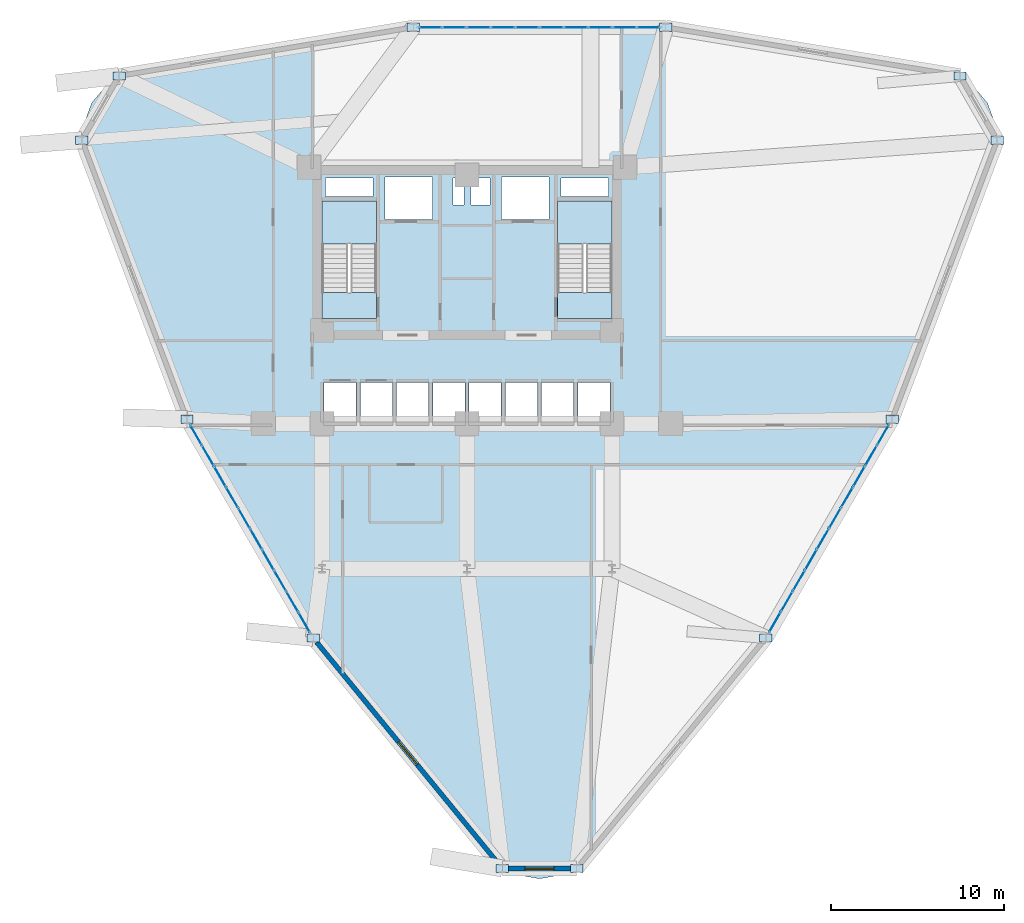
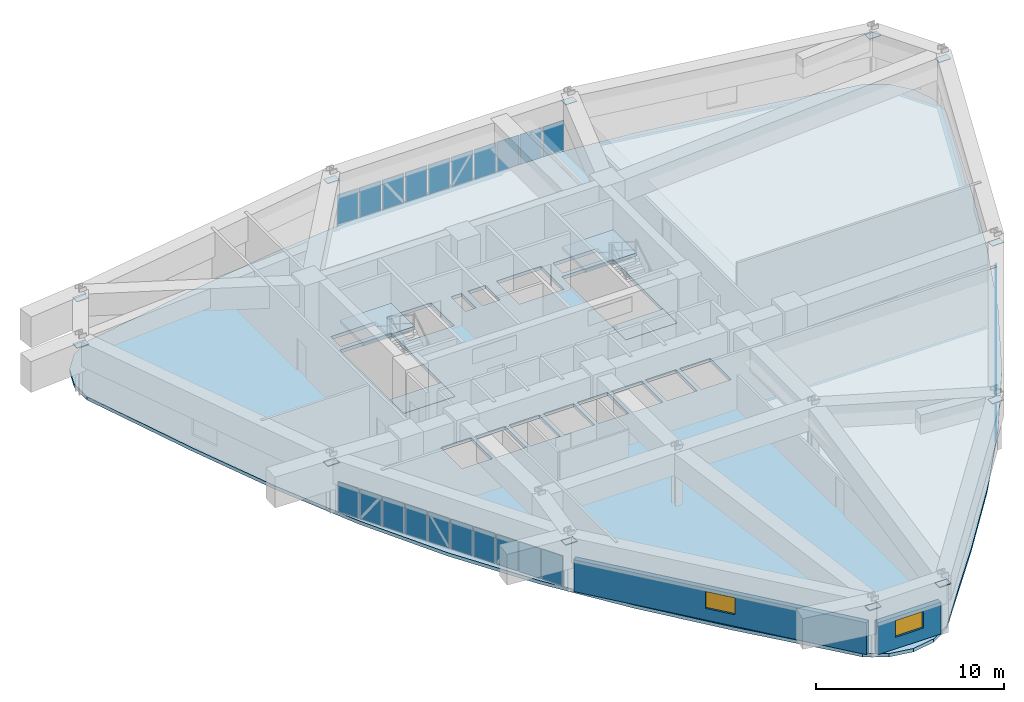
# One storey, part 13 of 18: 42 plates, 5 slabs, 2 walls, 2 windows, 2 openings, 5 elements without a shape of their own.
"""IFC4 building model written with IfcOpenShell, lengths in metres."""

from ifc_helpers import new_model, si_unit, derived_unit, direction, frame, frame_2d, origin, origin_2d, place, context, subcontext, project, spatial, polyline, rectangle, outline, extrude, source, transform, mapped, material, layer, layer_set, type_object, element, fill, aggregate, save


model = new_model("IFC4")

# Units and contexts
model_context = context("Model", 3, precision=1e-05, world=origin(), true_north=direction((0.0, 1.0)))
body_context = subcontext(model_context, "Body", "Model", "MODEL_VIEW")
ifc_project = project(units=[si_unit("LENGTHUNIT", "METRE"), si_unit("AREAUNIT", "SQUARE_METRE"), si_unit("VOLUMEUNIT", "CUBIC_METRE"), si_unit("PLANEANGLEUNIT", "RADIAN"), si_unit("MASSUNIT", "GRAM", prefix="KILO"), derived_unit("THERMALTRANSMITTANCEUNIT", [(si_unit("POWERUNIT", "WATT"), 1), (si_unit("LENGTHUNIT", "METRE"), -2), (si_unit("THERMODYNAMICTEMPERATUREUNIT", "KELVIN"), -1)])], contexts=[model_context])

# Site, building, storey
site_placement = place(None, origin())
site = spatial("IfcSite", under=ifc_project, at=site_placement, CompositionType="ELEMENT")
building_placement = place(site_placement, origin())
building = spatial("IfcBuilding", under=site, at=building_placement, Name="Korsvarv Bourse and Concert Hall", CompositionType="ELEMENT")
storey_placement = place(building_placement, frame((0.0, 0.0, 95.10009765625)))
storey = spatial("IfcBuildingStorey", under=building, at=storey_placement, Name="L23", CompositionType="ELEMENT", Elevation=95.10009765625)

# Slabs
ifc_material_1 = material(Name="Precast concrete C45/55", Category="concrete")
ifc_layer_1 = layer(ifc_material_1, 0.199951171875)
ifc_layer_set_1 = layer_set([ifc_layer_1], Name="Precast concrete C45/55")
slab_type_1 = type_object("IfcSlabType", Name="SLB-FLND-T", PredefinedType="LANDING", material=ifc_layer_set_1)
slab_1_placement = place(storey_placement, frame((0.0, 0.0, -0.2001953125)))
element("IfcSlab", 1, at=slab_1_placement, inside=storey, type_object=slab_type_1, Name="L23 Stair ST-T1 Floor Landing Slab", PredefinedType="LANDING", context=body_context, shape_type="SweptSolid", body=[
    extrude(outline(polyline([(30.760009765625, 38.5), (30.760009765625, 40.0), (27.60009765625, 40.0), (27.60009765625, 38.5), (30.760009765625, 38.5)])), origin(), (0.0, 0.0, 1.0), 0.2001953125),
])
slab_2_placement = place(storey_placement, frame((0.0, 0.0, -0.2001953125)))
element("IfcSlab", 2, at=slab_2_placement, inside=storey, type_object=slab_type_1, Name="L23 Stair ST-T2 Floor Landing Slab", PredefinedType="LANDING", context=body_context, shape_type="SweptSolid", body=[
    extrude(outline(polyline([(44.39990234375, 38.5), (44.39990234375, 40.0), (41.239990234375, 40.0), (41.239990234375, 38.5), (44.39990234375, 38.5)])), origin(), (0.0, 0.0, 1.0), 0.2001953125),
])

# Stair, slab
stair_type = type_object("IfcStairType", Name="STR-TYPE-03", PredefinedType="HALF_TURN_STAIR", material=ifc_material_1)
stair_1_placement = place(storey_placement, origin())
stair_1 = element("IfcStair", 3, at=stair_1_placement, inside=storey, type_object=stair_type, Name="L23 Tower West Exit Stair ST-T1", PredefinedType="HALF_TURN_STAIR")
ifc_layer_2 = layer(ifc_material_1, 0.199951171875)
ifc_layer_set_2 = layer_set([ifc_layer_2], Name="Precast concrete C45/55")
slab_type_2 = type_object("IfcSlabType", Name="SLB-ST-LND", PredefinedType="LANDING", material=ifc_layer_set_2)
slab_3_placement = place(storey_placement, frame((0.0, 0.0, 1.75)))
slab_3 = element("IfcSlab", 4, at=slab_3_placement, type_object=slab_type_2, Name="ST-T1 landing 1", PredefinedType="LANDING", context=body_context, shape_type="SweptSolid", body=[
    extrude(outline(polyline([(30.760009765625, 42.800048828125), (30.760009765625, 45.300048828125), (27.60009765625, 45.300048828125), (27.60009765625, 42.800048828125), (30.760009765625, 42.800048828125)])), origin(), (0.0, 0.0, 1.0), 0.199951171875),
])
aggregate(stair_1, [slab_3])

stair_2_placement = place(storey_placement, origin())
stair_2 = element("IfcStair", 5, at=stair_2_placement, inside=storey, type_object=stair_type, Name="L23 Tower East Exit Stair ST-T2", PredefinedType="HALF_TURN_STAIR")
slab_4_placement = place(storey_placement, frame((0.0, 0.0, 1.75)))
slab_4 = element("IfcSlab", 6, at=slab_4_placement, type_object=slab_type_2, Name="ST-T2 landing 1", PredefinedType="LANDING", context=body_context, shape_type="SweptSolid", body=[
    extrude(outline(polyline([(44.39990234375, 42.800048828125), (44.39990234375, 45.300048828125), (41.239990234375, 45.300048828125), (41.239990234375, 42.800048828125), (44.39990234375, 42.800048828125)])), origin(), (0.0, 0.0, 1.0), 0.199951171875),
])
aggregate(stair_2, [slab_4])

# Slab
ifc_material_2 = material(Name="Concrete C45/55", Category="concrete")
ifc_layer_3 = layer(ifc_material_2, 0.219970703125)
ifc_layer_set_3 = layer_set([ifc_layer_3], Name="Concrete C45/55")
slab_type_3 = type_object("IfcSlabType", Name="SLB-TW1", PredefinedType="FLOOR", material=ifc_layer_set_3)
slab_5_placement = place(storey_placement, frame((0.0, 0.0, -0.22021484375)))
element("IfcSlab", 7, at=slab_5_placement, inside=storey, type_object=slab_type_3, Name="L23 tower structural floor slab", PredefinedType="FLOOR", context=body_context, shape_type="SweptSolid", body=[
    extrude(outline(polyline([(66.087890625, 46.8076171875), (64.17333984375, 41.4423828125), (62.131591796875, 36.17578125), (59.8486328125, 31.069091796875), (57.24658203125, 26.158203125), (54.29443359375, 21.44921875), (51.013427734375, 16.918701171875), (47.473388671875, 12.517333984375), (43.784423828125, 8.176513671875), (43.781005859375, 8.17236328125), (42.78369140625, 6.984130859375), (41.57470703125, 6.2861328125), (40.199951171875, 6.043701171875), (38.8251953125, 6.2861328125), (37.6162109375, 6.984130859375), (36.619140625, 8.17236328125), (36.615478515625, 8.176513671875), (32.926513671875, 12.517333984375), (29.386474609375, 16.918701171875), (26.10546875, 21.44921875), (23.153564453125, 26.158203125), (20.551513671875, 31.069091796875), (18.268310546875, 36.17578125), (16.226806640625, 41.4423828125), (14.31201171875, 46.8076171875), (14.31005859375, 46.812744140625), (13.779541015625, 48.2705078125), (13.779541015625, 49.666259765625), (14.257080078125, 50.97802734375), (15.154296875, 52.047607421875), (16.36328125, 52.74560546875), (17.89111328125, 53.014892578125), (17.896484375, 53.015869140625), (23.5, 54.040283203125), (29.081787109375, 54.905517578125), (34.64599609375, 55.481689453125), (40.199951171875, 55.68359375), (45.754150390625, 55.481689453125), (51.318115234375, 54.905517578125), (56.89990234375, 54.040283203125), (62.503662109375, 53.015869140625), (62.5087890625, 53.014892578125), (64.03662109375, 52.74560546875), (65.24560546875, 52.047607421875), (66.142822265625, 50.978271484375), (66.620361328125, 49.666259765625), (66.620361328125, 48.2705078125), (66.08984375, 46.812744140625), (66.087890625, 46.8076171875)]), holes=[polyline([(30.760009765625, 38.5), (30.760009765625, 45.300048828125), (27.60009765625, 45.300048828125), (27.60009765625, 38.5), (30.760009765625, 38.5)]), polyline([(44.39990234375, 38.5), (44.39990234375, 45.300048828125), (41.239990234375, 45.300048828125), (41.239990234375, 38.5), (44.39990234375, 38.5)]), polyline([(31.239990234375, 44.219970703125), (34.0, 44.219970703125), (34.0, 46.679931640625), (31.239990234375, 46.679931640625), (31.239990234375, 44.219970703125)]), polyline([(38.0, 44.219970703125), (40.760009765625, 44.219970703125), (40.760009765625, 46.679931640625), (38.0, 46.679931640625), (38.0, 44.219970703125)]), polyline([(27.719970703125, 32.52001953125), (29.580078125, 32.52001953125), (29.580078125, 34.780029296875), (27.719970703125, 34.780029296875), (27.719970703125, 32.52001953125)]), polyline([(29.820068359375, 32.52001953125), (31.679931640625, 32.52001953125), (31.679931640625, 34.780029296875), (29.820068359375, 34.780029296875), (29.820068359375, 32.52001953125)]), polyline([(31.919921875, 32.52001953125), (33.780029296875, 32.52001953125), (33.780029296875, 34.780029296875), (31.919921875, 34.780029296875), (31.919921875, 32.52001953125)]), polyline([(34.02001953125, 32.52001953125), (35.8798828125, 32.52001953125), (35.8798828125, 34.780029296875), (34.02001953125, 34.780029296875), (34.02001953125, 32.52001953125)]), polyline([(36.1201171875, 32.52001953125), (37.97998046875, 32.52001953125), (37.97998046875, 34.780029296875), (36.1201171875, 34.780029296875), (36.1201171875, 32.52001953125)]), polyline([(38.219970703125, 32.52001953125), (40.080078125, 32.52001953125), (40.080078125, 34.780029296875), (38.219970703125, 34.780029296875), (38.219970703125, 32.52001953125)]), polyline([(40.320068359375, 32.52001953125), (42.179931640625, 32.52001953125), (42.179931640625, 34.780029296875), (40.320068359375, 34.780029296875), (40.320068359375, 32.52001953125)]), polyline([(42.419921875, 32.52001953125), (44.280029296875, 32.52001953125), (44.280029296875, 34.780029296875), (42.419921875, 34.780029296875), (42.419921875, 32.52001953125)]), polyline([(27.800048828125, 45.56005859375), (30.56005859375, 45.56005859375), (30.56005859375, 46.6201171875), (27.800048828125, 46.6201171875), (27.800048828125, 45.56005859375)]), polyline([(41.43994140625, 45.56005859375), (44.199951171875, 45.56005859375), (44.199951171875, 46.6201171875), (41.43994140625, 46.6201171875), (41.43994140625, 45.56005859375)]), polyline([(35.199951171875, 45.080078125), (35.840087890625, 45.080078125), (35.840087890625, 46.6201171875), (35.199951171875, 46.6201171875), (35.199951171875, 45.080078125)]), polyline([(36.239990234375, 45.080078125), (37.320068359375, 45.080078125), (37.320068359375, 46.6201171875), (36.239990234375, 46.6201171875), (36.239990234375, 45.080078125)])]), origin(), (0.0, 0.0, 1.0), 0.22021484375),
])

# Plates
ifc_material_3 = material(Name="Steel S460", Category="steel")
ifc_layer_4 = layer(ifc_material_3, 0.033935546875)
ifc_layer_set_4 = layer_set([ifc_layer_4], Name="Steel S460")
plate_type_1 = type_object("IfcPlateType", Name="PLT-KN5", PredefinedType="SHEET", material=ifc_layer_set_4)
shared_shape_1 = source(origin(), body_context, "Body", "SweptSolid", [
    extrude(rectangle(XDim=0.719970703125, YDim=0.47998046875, at=origin_2d()), origin(), (0.0, 0.0, 1.0), 0.033935546875),
])
for number, where, z_axis, x_axis, name in (
    (8, (66.705078125, 48.819580078125, 3.10302734375), (0.0, 0.0, 1.0), (1.0, 0.0, 0.0), "L23 Block-Shift Transfer Splice Plate KN5-1"),
    (9, (64.554443359375, 52.544189453125, 3.10302734375), (0.0, 0.0, 1.0), (1.0, 0.0, 0.0), "L23 Block-Shift Transfer Splice Plate KN5-2"),
    (10, (47.509033203125, 55.35791015625, 3.10302734375), (0.0, 0.0, 1.0), (1.0, 0.0, 0.0), "L23 Block-Shift Transfer Splice Plate KN5-3"),
    (11, (32.89111328125, 55.35791015625, 3.10302734375), (0.0, 0.0, 1.0), (1.0, 0.0, 0.0), "L23 Block-Shift Transfer Splice Plate KN5-4"),
    (12, (15.845458984375, 52.544189453125, 3.10302734375), (0.0, 0.0, 1.0), (1.0, 0.0, 0.0), "L23 Block-Shift Transfer Splice Plate KN5-5"),
    (13, (13.695068359375, 48.819580078125, 3.10302734375), (0.0, 0.0, 1.0), (1.0, 0.0, 0.0), "L23 Block-Shift Transfer Splice Plate KN5-6"),
    (14, (19.781005859375, 32.65087890625, 3.10302734375), (0.0, 0.0, 1.0), (1.0, 0.0, 0.0), "L23 Block-Shift Transfer Splice Plate KN5-7"),
    (15, (27.090087890625, 19.9912109375, 3.10302734375), (0.0, 0.0, 1.0), (1.0, 0.0, 0.0), "L23 Block-Shift Transfer Splice Plate KN5-8"),
    (16, (38.049560546875, 6.63623046875, 3.10302734375), (0.0, 0.0, 1.0), (1.0, 0.0, 0.0), "L23 Block-Shift Transfer Splice Plate KN5-9"),
    (17, (42.3505859375, 6.63623046875, 3.10302734375), (0.0, 0.0, 1.0), (1.0, 0.0, 0.0), "L23 Block-Shift Transfer Splice Plate KN5-10"),
    (18, (53.309814453125, 19.9912109375, 3.10302734375), (0.0, 0.0, 1.0), (1.0, 0.0, 0.0), "L23 Block-Shift Transfer Splice Plate KN5-11"),
    (19, (60.618896484375, 32.65087890625, 3.10302734375), (0.0, 0.0, 1.0), (1.0, 0.0, 0.0), "L23 Block-Shift Transfer Splice Plate KN5-12"),
):
    element("IfcPlate", number, at=place(storey_placement, frame(where, z_axis=z_axis, x_axis=x_axis)), inside=storey, type_object=plate_type_1, Name=name, PredefinedType="SHEET", context=body_context, shape_type="MappedRepresentation", body=[
        mapped(shared_shape_1, transform((0.0, 0.0, 0.0), scale=1.0)),
    ])

# Curtain wall, plates
ifc_material_4 = material(Name="Anodised aluminium and triple low-E glazing", Category="glass")
ifc_layer_5 = layer(ifc_material_4, 0.219970703125)
ifc_layer_set_5 = layer_set([ifc_layer_5], Name="Anodised aluminium and triple low-E glazing")
curtain_wall_type = type_object("IfcCurtainWallType", Name="CW-SYS-1", PredefinedType="NOTDEFINED", material=ifc_layer_set_5)
curtain_wall_1_placement = place(storey_placement, origin())
curtain_wall_1 = element("IfcCurtainWall", 20, at=curtain_wall_1_placement, inside=storey, type_object=curtain_wall_type, Name="L23 CW1 curtain wall CW-L23-F03", PredefinedType="NOTDEFINED")
ifc_material_5 = material(Name="Tempered triple insulated low-E architectural glass", Category="glass")
ifc_layer_6 = layer(ifc_material_5, 0.035888671875)
ifc_layer_set_6 = layer_set([ifc_layer_6], Name="Tempered triple insulated low-E architectural glass")
plate_type_2 = type_object("IfcPlateType", Name="CWP-VIS1", PredefinedType="CURTAIN_PANEL", material=ifc_layer_set_6)
shared_shape_2 = source(origin(), body_context, "Body", "SweptSolid", [
    extrude(rectangle(XDim=1.304443359375, YDim=0.035888671875, at=origin_2d()), origin(), (0.0, 0.0, 1.0), 1.93994140625),
])
plate_1_placement = place(storey_placement, frame((46.52490234375, 55.35791015625, 0.06494140625), z_axis=(0.0, 0.0, 1.0), x_axis=(-1.0, 0.0, 0.0)))
plate_1 = element("IfcPlate", 21, at=plate_1_placement, type_object=plate_type_2, Name="CW1 faceted panel 1.1", PredefinedType="CURTAIN_PANEL", context=body_context, shape_type="MappedRepresentation", body=[
    mapped(shared_shape_2, transform((0.0, 0.0, 0.0), scale=1.0)),
])
plate_2_placement = place(storey_placement, frame((33.875244140625, 55.35791015625, 0.06494140625), z_axis=(0.0, 0.0, 1.0), x_axis=(-1.0, 0.0, 0.0)))
plate_2 = element("IfcPlate", 22, at=plate_2_placement, type_object=plate_type_2, Name="CW1 faceted panel 10.1", PredefinedType="CURTAIN_PANEL", context=body_context, shape_type="MappedRepresentation", body=[
    mapped(shared_shape_2, transform((0.0, 0.0, 0.0), scale=1.0)),
])
ifc_material_6 = material(Name="Insulated spandrel glass", Category="glass")
ifc_layer_7 = layer(ifc_material_6, 0.031982421875)
ifc_layer_set_7 = layer_set([ifc_layer_7], Name="Insulated spandrel glass")
plate_type_3 = type_object("IfcPlateType", Name="CWP-SPD1", PredefinedType="CURTAIN_PANEL", material=ifc_layer_set_7)
shared_shape_3 = source(origin(), body_context, "Body", "SweptSolid", [
    extrude(rectangle(XDim=1.33935546875, YDim=0.031982421875, at=origin_2d()), origin(), (0.0, 0.0, 1.0), 1.93994140625),
])
plate_3_placement = place(storey_placement, frame((45.1328125, 55.35791015625, 0.06494140625), z_axis=(0.0, 0.0, 1.0), x_axis=(-1.0, 0.0, 0.0)))
plate_3 = element("IfcPlate", 23, at=plate_3_placement, type_object=plate_type_3, Name="CW1 spandrel shadow-box panel 2.1", PredefinedType="CURTAIN_PANEL", context=body_context, shape_type="MappedRepresentation", body=[
    mapped(shared_shape_3, transform((0.0, 0.0, 0.0), scale=1.0)),
])
plate_4_placement = place(storey_placement, frame((40.90478515625, 55.35791015625, 0.06494140625), z_axis=(0.0, 0.0, 1.0), x_axis=(-1.0, 0.0, 0.0)))
plate_4 = element("IfcPlate", 24, at=plate_4_placement, type_object=plate_type_3, Name="CW1 spandrel shadow-box panel 5.1", PredefinedType="CURTAIN_PANEL", context=body_context, shape_type="MappedRepresentation", body=[
    mapped(shared_shape_3, transform((0.0, 0.0, 0.0), scale=1.0)),
])
plate_5_placement = place(storey_placement, frame((36.676513671875, 55.35791015625, 0.06494140625), z_axis=(0.0, 0.0, 1.0), x_axis=(-1.0, 0.0, 0.0)))
plate_5 = element("IfcPlate", 25, at=plate_5_placement, type_object=plate_type_3, Name="CW1 spandrel shadow-box panel 8.1", PredefinedType="CURTAIN_PANEL", context=body_context, shape_type="MappedRepresentation", body=[
    mapped(shared_shape_3, transform((0.0, 0.0, 0.0), scale=1.0)),
])
shared_shape_4 = source(origin(), body_context, "Body", "SweptSolid", [
    extrude(rectangle(XDim=1.33935546875, YDim=0.035888671875, at=origin_2d()), origin(), (0.0, 0.0, 1.0), 1.93994140625),
])
plate_6_placement = place(storey_placement, frame((43.723388671875, 55.35791015625, 0.06494140625), z_axis=(0.0, 0.0, 1.0), x_axis=(-1.0, 0.0, 0.0)))
plate_6 = element("IfcPlate", 26, at=plate_6_placement, type_object=plate_type_2, Name="CW1 faceted panel 3.1", PredefinedType="CURTAIN_PANEL", context=body_context, shape_type="MappedRepresentation", body=[
    mapped(shared_shape_4, transform((0.0, 0.0, 0.0), scale=1.0)),
])
plate_7_placement = place(storey_placement, frame((42.314208984375, 55.35791015625, 0.06494140625), z_axis=(0.0, 0.0, 1.0), x_axis=(-1.0, 0.0, 0.0)))
plate_7 = element("IfcPlate", 27, at=plate_7_placement, type_object=plate_type_2, Name="CW1 faceted panel 4.1", PredefinedType="CURTAIN_PANEL", context=body_context, shape_type="MappedRepresentation", body=[
    mapped(shared_shape_4, transform((0.0, 0.0, 0.0), scale=1.0)),
])
plate_8_placement = place(storey_placement, frame((39.495361328125, 55.35791015625, 0.06494140625), z_axis=(0.0, 0.0, 1.0), x_axis=(-1.0, 0.0, 0.0)))
plate_8 = element("IfcPlate", 28, at=plate_8_placement, type_object=plate_type_2, Name="CW1 faceted panel 6.1", PredefinedType="CURTAIN_PANEL", context=body_context, shape_type="MappedRepresentation", body=[
    mapped(shared_shape_4, transform((0.0, 0.0, 0.0), scale=1.0)),
])
plate_9_placement = place(storey_placement, frame((38.0859375, 55.35791015625, 0.06494140625), z_axis=(0.0, 0.0, 1.0), x_axis=(-1.0, 0.0, 0.0)))
plate_9 = element("IfcPlate", 29, at=plate_9_placement, type_object=plate_type_2, Name="CW1 faceted panel 7.1", PredefinedType="CURTAIN_PANEL", context=body_context, shape_type="MappedRepresentation", body=[
    mapped(shared_shape_4, transform((0.0, 0.0, 0.0), scale=1.0)),
])
plate_10_placement = place(storey_placement, frame((35.26708984375, 55.35791015625, 0.06494140625), z_axis=(0.0, 0.0, 1.0), x_axis=(-1.0, 0.0, 0.0)))
plate_10 = element("IfcPlate", 30, at=plate_10_placement, type_object=plate_type_2, Name="CW1 faceted panel 9.1", PredefinedType="CURTAIN_PANEL", context=body_context, shape_type="MappedRepresentation", body=[
    mapped(shared_shape_4, transform((0.0, 0.0, 0.0), scale=1.0)),
])
aggregate(curtain_wall_1, [plate_1, plate_3, plate_6, plate_7, plate_4, plate_8, plate_9, plate_5, plate_10, plate_2])

curtain_wall_2_placement = place(storey_placement, origin())
curtain_wall_2 = element("IfcCurtainWall", 31, at=curtain_wall_2_placement, inside=storey, type_object=curtain_wall_type, Name="L23 CW1 curtain wall CW-L23-F07", PredefinedType="NOTDEFINED")
shared_shape_5 = source(origin(), body_context, "Body", "SweptSolid", [
    extrude(rectangle(XDim=1.29052734375, YDim=0.035888671875, at=origin_2d()), origin(), (0.0, 0.0, 1.0), 1.93994140625),
])
plate_11_placement = place(storey_placement, frame((20.304443359375, 31.744384765625, 0.06494140625), z_axis=(0.0, 0.0, 1.0), x_axis=(0.499998687942, -0.8660261613, 0.0)))
plate_11 = element("IfcPlate", 32, at=plate_11_placement, type_object=plate_type_2, Name="CW1 faceted panel 1.1", PredefinedType="CURTAIN_PANEL", context=body_context, shape_type="MappedRepresentation", body=[
    mapped(shared_shape_5, transform((0.0, 0.0, 0.0), scale=1.0)),
])
plate_12_placement = place(storey_placement, frame((26.566650390625, 20.897705078125, 0.06494140625), z_axis=(0.0, 0.0, 1.0), x_axis=(0.499998687942, -0.8660261613, 0.0)))
plate_12 = element("IfcPlate", 33, at=plate_12_placement, type_object=plate_type_2, Name="CW1 faceted panel 10.1", PredefinedType="CURTAIN_PANEL", context=body_context, shape_type="MappedRepresentation", body=[
    mapped(shared_shape_5, transform((0.0, 0.0, 0.0), scale=1.0)),
])

curtain_wall_3_placement = place(storey_placement, origin())
curtain_wall_3 = element("IfcCurtainWall", 34, at=curtain_wall_3_placement, inside=storey, type_object=curtain_wall_type, Name="L23 CW1 curtain wall CW-L23-F11", PredefinedType="NOTDEFINED")
plate_13_placement = place(storey_placement, frame((53.833251953125, 20.897705078125, 0.06494140625), z_axis=(0.0, 0.0, 1.0), x_axis=(0.499998687942, 0.8660261613, 0.0)))
plate_13 = element("IfcPlate", 35, at=plate_13_placement, type_object=plate_type_2, Name="CW1 faceted panel 1.1", PredefinedType="CURTAIN_PANEL", context=body_context, shape_type="MappedRepresentation", body=[
    mapped(shared_shape_5, transform((0.0, 0.0, 0.0), scale=1.0)),
])
plate_14_placement = place(storey_placement, frame((60.095458984375, 31.744384765625, 0.06494140625), z_axis=(0.0, 0.0, 1.0), x_axis=(0.499998687942, 0.8660261613, 0.0)))
plate_14 = element("IfcPlate", 36, at=plate_14_placement, type_object=plate_type_2, Name="CW1 faceted panel 10.1", PredefinedType="CURTAIN_PANEL", context=body_context, shape_type="MappedRepresentation", body=[
    mapped(shared_shape_5, transform((0.0, 0.0, 0.0), scale=1.0)),
])

# Plate
shared_shape_6 = source(origin(), body_context, "Body", "SweptSolid", [
    extrude(rectangle(XDim=1.325439453125, YDim=0.031982421875, at=origin_2d()), origin(), (0.0, 0.0, 1.0), 1.93994140625),
])
plate_15_placement = place(storey_placement, frame((20.993408203125, 30.551025390625, 0.06494140625), z_axis=(0.0, 0.0, 1.0), x_axis=(0.499998687942, -0.8660261613, 0.0)))
plate_15 = element("IfcPlate", 37, at=plate_15_placement, type_object=plate_type_3, Name="CW1 spandrel shadow-box panel 2.1", PredefinedType="CURTAIN_PANEL", context=body_context, shape_type="MappedRepresentation", body=[
    mapped(shared_shape_6, transform((0.0, 0.0, 0.0), scale=1.0)),
])

plate_16_placement = place(storey_placement, frame((23.086669921875, 26.92529296875, 0.06494140625), z_axis=(0.0, 0.0, 1.0), x_axis=(0.499998687942, -0.8660261613, 0.0)))
plate_16 = element("IfcPlate", 38, at=plate_16_placement, type_object=plate_type_3, Name="CW1 spandrel shadow-box panel 5.1", PredefinedType="CURTAIN_PANEL", context=body_context, shape_type="MappedRepresentation", body=[
    mapped(shared_shape_6, transform((0.0, 0.0, 0.0), scale=1.0)),
])

plate_17_placement = place(storey_placement, frame((25.179931640625, 23.2998046875, 0.06494140625), z_axis=(0.0, 0.0, 1.0), x_axis=(0.499998687942, -0.8660261613, 0.0)))
plate_17 = element("IfcPlate", 39, at=plate_17_placement, type_object=plate_type_3, Name="CW1 spandrel shadow-box panel 8.1", PredefinedType="CURTAIN_PANEL", context=body_context, shape_type="MappedRepresentation", body=[
    mapped(shared_shape_6, transform((0.0, 0.0, 0.0), scale=1.0)),
])

plate_18_placement = place(storey_placement, frame((54.522216796875, 22.091064453125, 0.06494140625), z_axis=(0.0, 0.0, 1.0), x_axis=(0.499998687942, 0.8660261613, 0.0)))
plate_18 = element("IfcPlate", 40, at=plate_18_placement, type_object=plate_type_3, Name="CW1 spandrel shadow-box panel 2.1", PredefinedType="CURTAIN_PANEL", context=body_context, shape_type="MappedRepresentation", body=[
    mapped(shared_shape_6, transform((0.0, 0.0, 0.0), scale=1.0)),
])

plate_19_placement = place(storey_placement, frame((56.615478515625, 25.716796875, 0.06494140625), z_axis=(0.0, 0.0, 1.0), x_axis=(0.499998687942, 0.8660261613, 0.0)))
plate_19 = element("IfcPlate", 41, at=plate_19_placement, type_object=plate_type_3, Name="CW1 spandrel shadow-box panel 5.1", PredefinedType="CURTAIN_PANEL", context=body_context, shape_type="MappedRepresentation", body=[
    mapped(shared_shape_6, transform((0.0, 0.0, 0.0), scale=1.0)),
])

plate_20_placement = place(storey_placement, frame((58.708740234375, 29.342529296875, 0.06494140625), z_axis=(0.0, 0.0, 1.0), x_axis=(0.499998687942, 0.8660261613, 0.0)))
plate_20 = element("IfcPlate", 42, at=plate_20_placement, type_object=plate_type_3, Name="CW1 spandrel shadow-box panel 8.1", PredefinedType="CURTAIN_PANEL", context=body_context, shape_type="MappedRepresentation", body=[
    mapped(shared_shape_6, transform((0.0, 0.0, 0.0), scale=1.0)),
])

shared_shape_7 = source(origin(), body_context, "Body", "SweptSolid", [
    extrude(rectangle(XDim=1.325439453125, YDim=0.035888671875, at=origin_2d()), origin(), (0.0, 0.0, 1.0), 1.93994140625),
])
plate_21_placement = place(storey_placement, frame((21.691162109375, 29.342529296875, 0.06494140625), z_axis=(0.0, 0.0, 1.0), x_axis=(0.499998687942, -0.8660261613, 0.0)))
plate_21 = element("IfcPlate", 43, at=plate_21_placement, type_object=plate_type_2, Name="CW1 faceted panel 3.1", PredefinedType="CURTAIN_PANEL", context=body_context, shape_type="MappedRepresentation", body=[
    mapped(shared_shape_7, transform((0.0, 0.0, 0.0), scale=1.0)),
])

plate_22_placement = place(storey_placement, frame((22.388916015625, 28.134033203125, 0.06494140625), z_axis=(0.0, 0.0, 1.0), x_axis=(0.499998687942, -0.8660261613, 0.0)))
plate_22 = element("IfcPlate", 44, at=plate_22_placement, type_object=plate_type_2, Name="CW1 faceted panel 4.1", PredefinedType="CURTAIN_PANEL", context=body_context, shape_type="MappedRepresentation", body=[
    mapped(shared_shape_7, transform((0.0, 0.0, 0.0), scale=1.0)),
])

plate_23_placement = place(storey_placement, frame((23.784423828125, 25.716796875, 0.06494140625), z_axis=(0.0, 0.0, 1.0), x_axis=(0.499998687942, -0.8660261613, 0.0)))
plate_23 = element("IfcPlate", 45, at=plate_23_placement, type_object=plate_type_2, Name="CW1 faceted panel 6.1", PredefinedType="CURTAIN_PANEL", context=body_context, shape_type="MappedRepresentation", body=[
    mapped(shared_shape_7, transform((0.0, 0.0, 0.0), scale=1.0)),
])

plate_24_placement = place(storey_placement, frame((24.482177734375, 24.50830078125, 0.06494140625), z_axis=(0.0, 0.0, 1.0), x_axis=(0.499998687942, -0.8660261613, 0.0)))
plate_24 = element("IfcPlate", 46, at=plate_24_placement, type_object=plate_type_2, Name="CW1 faceted panel 7.1", PredefinedType="CURTAIN_PANEL", context=body_context, shape_type="MappedRepresentation", body=[
    mapped(shared_shape_7, transform((0.0, 0.0, 0.0), scale=1.0)),
])

plate_25_placement = place(storey_placement, frame((25.877685546875, 22.091064453125, 0.06494140625), z_axis=(0.0, 0.0, 1.0), x_axis=(0.499998687942, -0.8660261613, 0.0)))
plate_25 = element("IfcPlate", 47, at=plate_25_placement, type_object=plate_type_2, Name="CW1 faceted panel 9.1", PredefinedType="CURTAIN_PANEL", context=body_context, shape_type="MappedRepresentation", body=[
    mapped(shared_shape_7, transform((0.0, 0.0, 0.0), scale=1.0)),
])

aggregate(curtain_wall_2, [plate_11, plate_15, plate_21, plate_22, plate_16, plate_23, plate_24, plate_17, plate_25, plate_12])

plate_26_placement = place(storey_placement, frame((55.219970703125, 23.2998046875, 0.06494140625), z_axis=(0.0, 0.0, 1.0), x_axis=(0.499998687942, 0.8660261613, 0.0)))
plate_26 = element("IfcPlate", 48, at=plate_26_placement, type_object=plate_type_2, Name="CW1 faceted panel 3.1", PredefinedType="CURTAIN_PANEL", context=body_context, shape_type="MappedRepresentation", body=[
    mapped(shared_shape_7, transform((0.0, 0.0, 0.0), scale=1.0)),
])

plate_27_placement = place(storey_placement, frame((55.917724609375, 24.50830078125, 0.06494140625), z_axis=(0.0, 0.0, 1.0), x_axis=(0.499998687942, 0.8660261613, 0.0)))
plate_27 = element("IfcPlate", 49, at=plate_27_placement, type_object=plate_type_2, Name="CW1 faceted panel 4.1", PredefinedType="CURTAIN_PANEL", context=body_context, shape_type="MappedRepresentation", body=[
    mapped(shared_shape_7, transform((0.0, 0.0, 0.0), scale=1.0)),
])

plate_28_placement = place(storey_placement, frame((57.313232421875, 26.92529296875, 0.06494140625), z_axis=(0.0, 0.0, 1.0), x_axis=(0.499998687942, 0.8660261613, 0.0)))
plate_28 = element("IfcPlate", 50, at=plate_28_placement, type_object=plate_type_2, Name="CW1 faceted panel 6.1", PredefinedType="CURTAIN_PANEL", context=body_context, shape_type="MappedRepresentation", body=[
    mapped(shared_shape_7, transform((0.0, 0.0, 0.0), scale=1.0)),
])

plate_29_placement = place(storey_placement, frame((58.010986328125, 28.134033203125, 0.06494140625), z_axis=(0.0, 0.0, 1.0), x_axis=(0.499998687942, 0.8660261613, 0.0)))
plate_29 = element("IfcPlate", 51, at=plate_29_placement, type_object=plate_type_2, Name="CW1 faceted panel 7.1", PredefinedType="CURTAIN_PANEL", context=body_context, shape_type="MappedRepresentation", body=[
    mapped(shared_shape_7, transform((0.0, 0.0, 0.0), scale=1.0)),
])

plate_30_placement = place(storey_placement, frame((59.406494140625, 30.551025390625, 0.06494140625), z_axis=(0.0, 0.0, 1.0), x_axis=(0.499998687942, 0.8660261613, 0.0)))
plate_30 = element("IfcPlate", 52, at=plate_30_placement, type_object=plate_type_2, Name="CW1 faceted panel 9.1", PredefinedType="CURTAIN_PANEL", context=body_context, shape_type="MappedRepresentation", body=[
    mapped(shared_shape_7, transform((0.0, 0.0, 0.0), scale=1.0)),
])

aggregate(curtain_wall_3, [plate_13, plate_18, plate_26, plate_27, plate_19, plate_28, plate_29, plate_20, plate_30, plate_14])

# Wall, opening, window
ifc_material_7 = material(Name="Precast concrete C45/55 with terracotta rainscreen", Category="concrete")
ifc_layer_8 = layer(ifc_material_7, 0.300048828125)
ifc_layer_set_8 = layer_set([ifc_layer_8], Name="Precast concrete C45/55 with terracotta rainscreen")
wall_type_1 = type_object("IfcWallType", Name="WL-EXT-TC1", PredefinedType="SOLIDWALL", material=ifc_layer_set_8)
wall_1_placement = place(storey_placement, frame((38.2666015625, 6.63623046875, 0.0), z_axis=(0.0, 0.0, 1.0), x_axis=(1.0, 0.0, 0.0)))
wall_1 = element("IfcWall", 53, at=wall_1_placement, inside=storey, type_object=wall_type_1, Name="L23 terracotta exterior wall EW-L23-B09", PredefinedType="SOLIDWALL", context=body_context, shape_type="SweptSolid", body=[
    extrude(rectangle(XDim=3.866943359375, YDim=0.300048828125, at=frame_2d((1.93359375, 0.0))), origin(), (0.0, 0.0, 1.0), 2.06982421875),
])
opening_1_placement = place(wall_1_placement, frame((1.08349609375, 0.0, 0.75)))
opening_1 = element("IfcOpeningElement", 54, at=opening_1_placement, cuts=wall_1, Name="Opening W-07", PredefinedType="OPENING", context=body_context, shape_type="SweptSolid", body=[
    extrude(rectangle(XDim=1.699951171875, YDim=1.10009765625, at=frame_2d((0.85009765625, 0.550048828125))), frame((0.0, 0.16015625, 0.0), z_axis=(0.0, -1.0, 0.0), x_axis=(1.0, 0.0, 0.0)), (0.0, 0.0, 1.0), 0.320068359375),
])
ifc_material_8 = material(Name="Thermally broken aluminium frame with triple low-E glass", Category="glass")
window_type = type_object("IfcWindowType", Name="WIN-TW1-1700X1100", PartitioningType="SINGLE_PANEL", PredefinedType="WINDOW", material=ifc_material_8)
window_1_placement = place(opening_1_placement, origin())
window_1 = element("IfcWindow", 55, at=window_1_placement, inside=storey, type_object=window_type, Name="L23 punched facade window W-07", OverallHeight=1.10009765625, OverallWidth=1.699951171875, PartitioningType="SINGLE_PANEL", PredefinedType="WINDOW", context=body_context, shape_type="SweptSolid", body=[
    extrude(rectangle(XDim=1.699951171875, YDim=1.10009765625, at=frame_2d((0.85009765625, 0.550048828125))), frame((0.0, 0.030029296875, 0.0), z_axis=(0.0, -1.0, 0.0), x_axis=(1.0, 0.0, 0.0)), (0.0, 0.0, 1.0), 0.06005859375),
])
fill(opening_1, window_1)

ifc_material_9 = material(Name="Precast concrete C45/55 with fluted terracotta pier", Category="concrete")
ifc_layer_9 = layer(ifc_material_9, 0.280029296875)
ifc_layer_set_9 = layer_set([ifc_layer_9], Name="Precast concrete C45/55 with fluted terracotta pier")
wall_type_2 = type_object("IfcWallType", Name="WL-EXT-TC2", PredefinedType="SOLIDWALL", material=ifc_layer_set_9)
wall_2_placement = place(storey_placement, frame((27.288818359375, 19.749267578125, 0.0), z_axis=(0.0, 0.0, 1.0), x_axis=(0.634363798099, -0.77303465101, 0.0)))
wall_2 = element("IfcWall", 56, at=wall_2_placement, inside=storey, type_object=wall_type_2, Name="L23 terracotta exterior wall EW-L23-B08", PredefinedType="SOLIDWALL", context=body_context, shape_type="SweptSolid", body=[
    extrude(rectangle(XDim=16.649658203125, YDim=0.280029296875, at=frame_2d((8.32470703125, 0.0))), origin(), (0.0, 0.0, 1.0), 2.06982421875),
])
opening_2_placement = place(wall_2_placement, frame((7.47509765625, 0.0, 0.75)))
opening_2 = element("IfcOpeningElement", 57, at=opening_2_placement, cuts=wall_2, Name="Opening W-07", PredefinedType="OPENING", context=body_context, shape_type="SweptSolid", body=[
    extrude(rectangle(XDim=1.699951171875, YDim=1.10009765625, at=frame_2d((0.85009765625, 0.550048828125))), frame((0.0, 0.14990234375, 0.0), z_axis=(0.0, -1.0, 0.0), x_axis=(1.0, 0.0, 0.0)), (0.0, 0.0, 1.0), 0.300048828125),
])
window_2_placement = place(opening_2_placement, origin())
window_2 = element("IfcWindow", 58, at=window_2_placement, inside=storey, type_object=window_type, Name="L23 punched facade window W-07", OverallHeight=1.10009765625, OverallWidth=1.699951171875, PartitioningType="SINGLE_PANEL", PredefinedType="WINDOW", context=body_context, shape_type="SweptSolid", body=[
    extrude(rectangle(XDim=1.699951171875, YDim=1.10009765625, at=frame_2d((0.85009765625, 0.550048828125))), frame((0.0, 0.030029296875, 0.0), z_axis=(0.0, -1.0, 0.0), x_axis=(1.0, 0.0, 0.0)), (0.0, 0.0, 1.0), 0.06005859375),
])
fill(opening_2, window_2)

save(model, "model.ifc")
